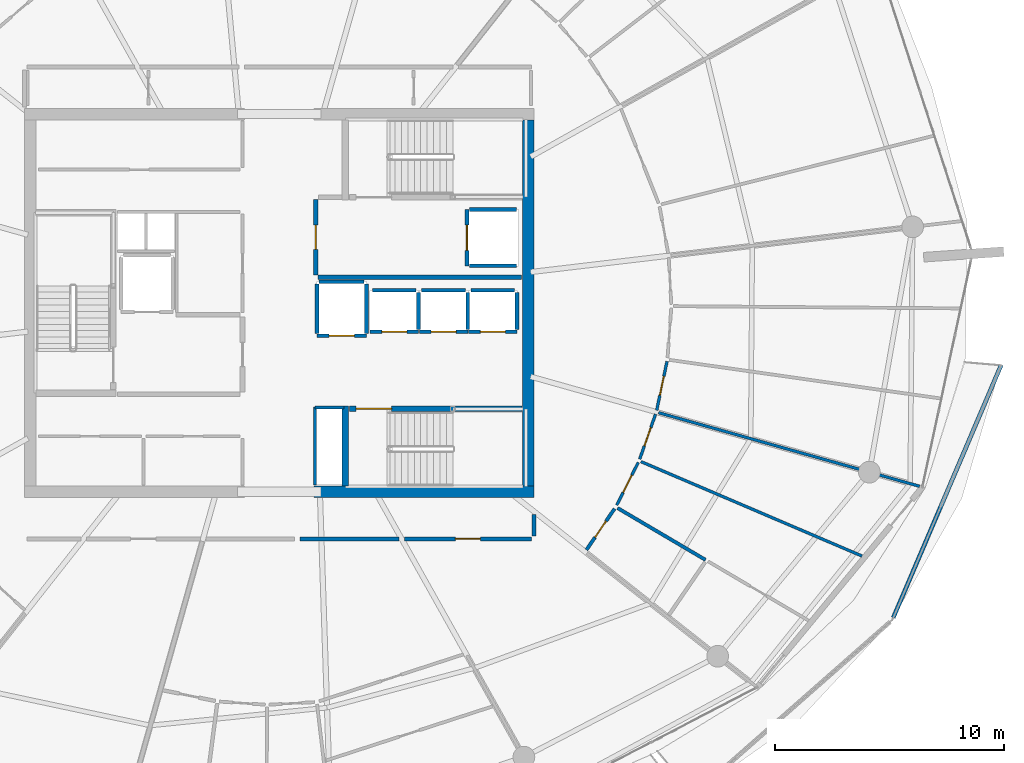
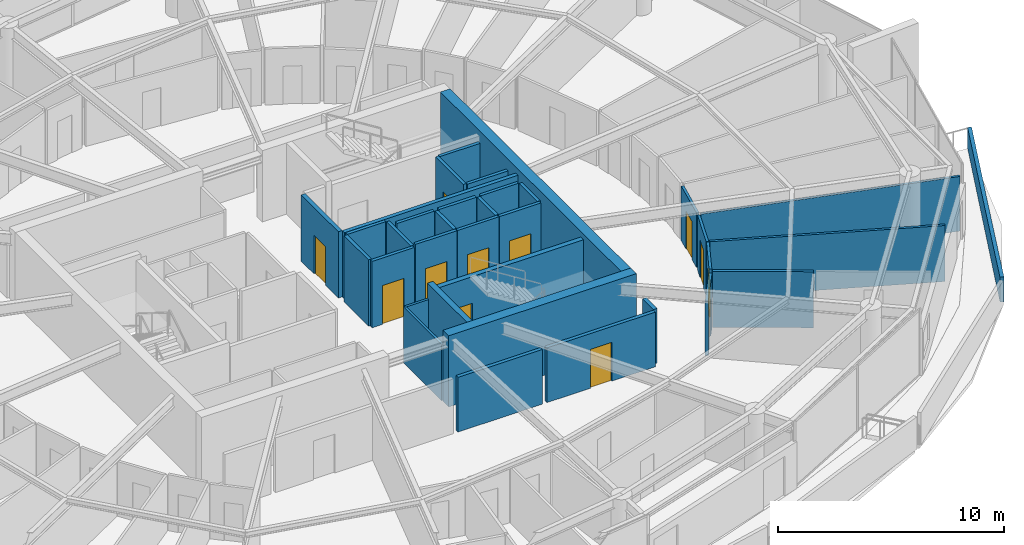
# One storey, part 20 of 30: 35 walls, 12 doors, 12 openings.
"""IFC4 building model written with IfcOpenShell, lengths in metres."""

from ifc_helpers import new_model, si_unit, direction, frame, frame_2d, origin, place, context, subcontext, project, spatial, polyline, rectangle, outline, extrude, material, layer, layer_set, type_object, element, fill, save


model = new_model("IFC4")

# Units and contexts
model_context = context("Model", 3, precision=1e-05, world=origin(), true_north=direction((0.0, 1.0)))
body_context = subcontext(model_context, "Body", "Model", "MODEL_VIEW")
ifc_project = project(units=[si_unit("LENGTHUNIT", "METRE"), si_unit("AREAUNIT", "SQUARE_METRE"), si_unit("VOLUMEUNIT", "CUBIC_METRE"), si_unit("PLANEANGLEUNIT", "RADIAN"), si_unit("MASSUNIT", "GRAM", prefix="KILO")], contexts=[model_context])

# Site, building, storey
site_placement = place(None, origin())
site = spatial("IfcSite", under=ifc_project, at=site_placement, CompositionType="ELEMENT")
building_placement = place(site_placement, origin())
building = spatial("IfcBuilding", under=site, at=building_placement, Name="Kazma Halo Residences", CompositionType="ELEMENT")
storey_placement = place(building_placement, frame((0.0, 0.0, 290.60009765625)))
storey = spatial("IfcBuildingStorey", under=building, at=storey_placement, Name="L73", CompositionType="ELEMENT", Elevation=290.60009765625)

# Walls
ifc_material_1 = material(Name="White Concrete C50/60 Balustrade", Category="concrete")
ifc_layer_1 = layer(ifc_material_1, 0.179931640625)
ifc_layer_set_1 = layer_set([ifc_layer_1], Name="White Concrete C50/60 Balustrade")
wall_type_1 = type_object("IfcWallType", Name="WL-BAL-WAVE-180", PredefinedType="PARAPET", material=ifc_layer_set_1)
wall_1_placement = place(storey_placement, frame((75.234619140625, 28.2578125, 0.0), z_axis=(0.0, 0.0, 1.0), x_axis=(0.392715313702, 0.919660090677, 0.0)))
element("IfcWall", 1, at=wall_1_placement, inside=storey, type_object=wall_type_1, Name="L73 white wave balustrade wall SE.2", PredefinedType="PARAPET", context=body_context, shape_type="SweptSolid", body=[
    extrude(outline(polyline([(0.0, 0.0), (11.9951171875, 0.0), (11.995361328125, 1.119873046875), (5.997802734375, 1.181884765625), (0.0, 1.347900390625), (0.0, 0.0)])), frame((0.0, 0.08984375, 0.0), z_axis=(0.0, -1.0, 0.0), x_axis=(1.0, 0.0, 0.0)), (0.0, 0.0, 1.0), 0.179931640625),
])
ifc_material_2 = material(Name="Concrete C60/75", Category="concrete")
ifc_layer_2 = layer(ifc_material_2, 0.5)
ifc_layer_set_2 = layer_set([ifc_layer_2], Name="Concrete C60/75")
wall_type_2 = type_object("IfcWallType", Name="WL-CORE-500", PredefinedType="SHEAR", material=ifc_layer_set_2)
wall_2_placement = place(storey_placement, frame((49.949951171875, 33.75, 0.0), z_axis=(0.0, 0.0, 1.0), x_axis=(1.0, 0.0, 0.0)))
element("IfcWall", 2, at=wall_2_placement, inside=storey, type_object=wall_type_2, Name="L73 central core shear wall SE", PredefinedType="SHEAR", context=body_context, shape_type="SweptSolid", body=[
    extrude(rectangle(XDim=9.60009765625, YDim=0.5, at=frame_2d((4.800048828125, 0.0))), origin(), (0.0, 0.0, 1.0), 3.849853515625),
])
wall_3_placement = place(storey_placement, frame((59.300048828125, 34.0, 0.0), z_axis=(0.0, 0.0, 1.0), x_axis=(0.0, 1.0, 0.0)))
element("IfcWall", 3, at=wall_3_placement, inside=storey, type_object=wall_type_2, Name="L73 central core shear wall E", PredefinedType="SHEAR", context=body_context, shape_type="SweptSolid", body=[
    extrude(rectangle(XDim=16.0, YDim=0.5, at=frame_2d((8.0, 0.0))), origin(), (0.0, 0.0, 1.0), 3.849853515625),
])
ifc_layer_3 = layer(ifc_material_2, 0.280029296875)
ifc_layer_set_3 = layer_set([ifc_layer_3], Name="Concrete C60/75")
wall_type_3 = type_object("IfcWallType", Name="WL-CORE-ST-280", PredefinedType="SHEAR", material=ifc_layer_set_3)
wall_4_placement = place(storey_placement, frame((51.31005859375, 34.0, 0.0), z_axis=(0.0, 0.0, 1.0), x_axis=(0.0, 1.0, 0.0)))
element("IfcWall", 4, at=wall_4_placement, inside=storey, type_object=wall_type_3, Name="L73 stairwell bearing wall ST03-W", PredefinedType="SHEAR", context=body_context, shape_type="SweptSolid", body=[
    extrude(rectangle(XDim=3.5, YDim=0.280029296875, at=frame_2d((1.75, 0.0))), origin(), (0.0, 0.0, 1.0), 3.849853515625),
])

# Wall, opening, door
ifc_material_3 = material(Name="Acoustic Twin-Stud Gypsum")
ifc_layer_4 = layer(ifc_material_3, 0.179931640625)
ifc_layer_set_4 = layer_set([ifc_layer_4], Name="Acoustic Twin-Stud Gypsum")
wall_type_4 = type_object("IfcWallType", Name="WL-DEM-180", PredefinedType="PARTITIONING", material=ifc_layer_set_4)
wall_5_placement = place(storey_placement, frame((53.88818359375, 31.699951171875, 0.0), z_axis=(0.0, 0.0, 1.0), x_axis=(1.0, 0.0, 0.0)))
wall_5 = element("IfcWall", 5, at=wall_5_placement, inside=storey, type_object=wall_type_4, Name="L73 Apartment 2 entrance corridor wall", PredefinedType="PARTITIONING", context=body_context, shape_type="SweptSolid", body=[
    extrude(rectangle(XDim=5.541748046875, YDim=0.179931640625, at=frame_2d((2.77099609375, 0.0))), origin(), (0.0, 0.0, 1.0), 2.956787109375),
])
opening_1_placement = place(wall_5_placement, frame((2.220703125, 0.0, 0.0)))
opening_1 = element("IfcOpeningElement", 6, at=opening_1_placement, cuts=wall_5, Name="Opening DA-1100", PredefinedType="OPENING", context=body_context, shape_type="SweptSolid", body=[
    extrude(rectangle(XDim=1.10009765625, YDim=2.10009765625, at=frame_2d((0.550048828125, 1.050048828125))), frame((0.0, 0.099853515625, 0.0), z_axis=(0.0, -1.0, 0.0), x_axis=(1.0, 0.0, 0.0)), (0.0, 0.0, 1.0), 0.199951171875),
])
ifc_material_4 = material(Name="Acoustic Walnut Fire Leaf")
door_type_1 = type_object("IfcDoorType", Name="DR-FD60-1100", OperationType="NOTDEFINED", PredefinedType="DOOR", material=ifc_material_4)
door_1_placement = place(opening_1_placement, origin())
door_1 = element("IfcDoor", 7, at=door_1_placement, inside=storey, type_object=door_type_1, Name="L73 Apartment 2 entrance fire door", OperationType="SINGLE_SWING_RIGHT", OverallHeight=2.10009765625, OverallWidth=1.10009765625, PredefinedType="DOOR", context=body_context, shape_type="SweptSolid", body=[
    extrude(rectangle(XDim=1.10009765625, YDim=2.10009765625, at=frame_2d((0.550048828125, 1.050048828125))), frame((0.0, 0.02490234375, 0.0), z_axis=(0.0, -1.0, 0.0), x_axis=(1.0, 0.0, 0.0)), (0.0, 0.0, 1.0), 0.050048828125),
])
fill(opening_1, door_1)

# Walls
wall_6_placement = place(storey_placement, frame((59.550048828125, 31.820068359375, 0.0), z_axis=(0.0, 0.0, 1.0), x_axis=(0.0, 1.0, 0.0)))
element("IfcWall", 8, at=wall_6_placement, inside=storey, type_object=wall_type_4, Name="L73 Apartment 2 entrance corridor wall", PredefinedType="PARTITIONING", context=body_context, shape_type="SweptSolid", body=[
    extrude(rectangle(XDim=0.95458984375, YDim=0.179931640625, at=frame_2d((0.477294921875, 0.0))), origin(), (0.0, 0.0, 1.0), 2.956787109375),
])
wall_7_placement = place(storey_placement, frame((49.339111328125, 31.699951171875, 0.0), z_axis=(0.0, 0.0, 1.0), x_axis=(1.0, 0.0, 0.0)))
element("IfcWall", 9, at=wall_7_placement, inside=storey, type_object=wall_type_4, Name="L73 Apartment 2 inner wall 11", PredefinedType="PARTITIONING", context=body_context, shape_type="SweptSolid", body=[
    extrude(rectangle(XDim=4.30908203125, YDim=0.179931640625, at=frame_2d((2.154541015625, 0.0))), origin(), (0.0, 0.0, 1.0), 2.956787109375),
])

# Wall, opening, door
ifc_material_5 = material(Name="Fire-Rated Blockwork Masonry", Category="masonry")
ifc_layer_5 = layer(ifc_material_5, 0.199951171875)
ifc_layer_set_5 = layer_set([ifc_layer_5], Name="Fire-Rated Blockwork Masonry")
wall_type_5 = type_object("IfcWallType", Name="WL-FLB-200", PredefinedType="PARTITIONING", material=ifc_layer_set_5)
wall_8_placement = place(storey_placement, frame((54.5048828125, 40.7451171875, 0.0), z_axis=(0.0, 0.0, 1.0), x_axis=(-1.0, 0.0, 0.0)))
wall_8 = element("IfcWall", 10, at=wall_8_placement, inside=storey, type_object=wall_type_5, Name="L73 lift shaft PH-01 front wall", PredefinedType="PARTITIONING", context=body_context, shape_type="SweptSolid", body=[
    extrude(rectangle(XDim=2.10986328125, YDim=0.159912109375, at=frame_2d((1.054931640625, 0.0))), origin(), (0.0, 0.0, 1.0), 3.58984375),
])
opening_2_placement = place(wall_8_placement, frame((0.5048828125, 0.0, 0.0)))
opening_2 = element("IfcOpeningElement", 11, at=opening_2_placement, cuts=wall_8, Name="Opening LD-PH-01", PredefinedType="OPENING", context=body_context, shape_type="SweptSolid", body=[
    extrude(rectangle(XDim=1.10009765625, YDim=2.10009765625, at=frame_2d((0.550048828125, 1.050048828125))), frame((0.0, 0.08984375, 0.0), z_axis=(0.0, -1.0, 0.0), x_axis=(1.0, 0.0, 0.0)), (0.0, 0.0, 1.0), 0.179931640625),
])
ifc_material_6 = material(Name="Stainless Steel Fire-Rated", Category="steel")
door_type_2 = type_object("IfcDoorType", Name="DR-LIFT-SLD-1100", OperationType="DOUBLE_DOOR_SLIDING", PredefinedType="DOOR", material=ifc_material_6)
door_2_placement = place(opening_2_placement, origin())
door_2 = element("IfcDoor", 12, at=door_2_placement, inside=storey, type_object=door_type_2, Name="L73 lift PH-01 sliding landing door", OperationType="DOUBLE_DOOR_SLIDING", OverallHeight=2.10009765625, OverallWidth=1.10009765625, PredefinedType="DOOR", context=body_context, shape_type="SweptSolid", body=[
    extrude(rectangle(XDim=1.10009765625, YDim=2.10009765625, at=frame_2d((0.550048828125, 1.050048828125))), frame((0.0, 0.02490234375, 0.0), z_axis=(0.0, -1.0, 0.0), x_axis=(1.0, 0.0, 0.0)), (0.0, 0.0, 1.0), 0.050048828125),
])
fill(opening_2, door_2)

# Walls
wall_9_placement = place(storey_placement, frame((54.5048828125, 40.844970703125, 0.0), z_axis=(0.0, 0.0, 1.0), x_axis=(0.0, 1.0, 0.0)))
element("IfcWall", 13, at=wall_9_placement, inside=storey, type_object=wall_type_5, Name="L73 lift shaft PH-01 side wall E", PredefinedType="PARTITIONING", context=body_context, shape_type="SweptSolid", body=[
    extrude(rectangle(XDim=1.610107421875, YDim=0.159912109375, at=frame_2d((0.80517578125, 0.0))), origin(), (0.0, 0.0, 1.0), 3.58984375),
])
wall_10_placement = place(storey_placement, frame((52.4951171875, 42.554931640625, 0.0), z_axis=(0.0, 0.0, 1.0), x_axis=(1.0, 0.0, 0.0)))
element("IfcWall", 14, at=wall_10_placement, inside=storey, type_object=wall_type_5, Name="L73 lift shaft PH-01 side wall N", PredefinedType="PARTITIONING", context=body_context, shape_type="SweptSolid", body=[
    extrude(rectangle(XDim=1.909912109375, YDim=0.159912109375, at=frame_2d((0.955078125, 0.0))), origin(), (0.0, 0.0, 1.0), 3.58984375),
])

# Wall, opening, door
wall_11_placement = place(storey_placement, frame((56.655029296875, 40.7451171875, 0.0), z_axis=(0.0, 0.0, 1.0), x_axis=(-1.0, 0.0, 0.0)))
wall_11 = element("IfcWall", 15, at=wall_11_placement, inside=storey, type_object=wall_type_5, Name="L73 lift shaft PH-02 front wall", PredefinedType="PARTITIONING", context=body_context, shape_type="SweptSolid", body=[
    extrude(rectangle(XDim=2.110107421875, YDim=0.159912109375, at=frame_2d((1.05517578125, 0.0))), origin(), (0.0, 0.0, 1.0), 3.58984375),
])
opening_3_placement = place(wall_11_placement, frame((0.5048828125, 0.0, 0.0)))
opening_3 = element("IfcOpeningElement", 16, at=opening_3_placement, cuts=wall_11, Name="Opening LD-PH-02", PredefinedType="OPENING", context=body_context, shape_type="SweptSolid", body=[
    extrude(rectangle(XDim=1.10009765625, YDim=2.10009765625, at=frame_2d((0.550048828125, 1.050048828125))), frame((0.0, 0.08984375, 0.0), z_axis=(0.0, -1.0, 0.0), x_axis=(1.0, 0.0, 0.0)), (0.0, 0.0, 1.0), 0.179931640625),
])
door_3_placement = place(opening_3_placement, origin())
door_3 = element("IfcDoor", 17, at=door_3_placement, inside=storey, type_object=door_type_2, Name="L73 lift PH-02 sliding landing door", OperationType="DOUBLE_DOOR_SLIDING", OverallHeight=2.10009765625, OverallWidth=1.10009765625, PredefinedType="DOOR", context=body_context, shape_type="SweptSolid", body=[
    extrude(rectangle(XDim=1.10009765625, YDim=2.10009765625, at=frame_2d((0.550048828125, 1.050048828125))), frame((0.0, 0.02490234375, 0.0), z_axis=(0.0, -1.0, 0.0), x_axis=(1.0, 0.0, 0.0)), (0.0, 0.0, 1.0), 0.050048828125),
])
fill(opening_3, door_3)

# Walls
wall_12_placement = place(storey_placement, frame((56.655029296875, 40.844970703125, 0.0), z_axis=(0.0, 0.0, 1.0), x_axis=(0.0, 1.0, 0.0)))
element("IfcWall", 18, at=wall_12_placement, inside=storey, type_object=wall_type_5, Name="L73 lift shaft PH-02 side wall E", PredefinedType="PARTITIONING", context=body_context, shape_type="SweptSolid", body=[
    extrude(rectangle(XDim=1.610107421875, YDim=0.159912109375, at=frame_2d((0.80517578125, 0.0))), origin(), (0.0, 0.0, 1.0), 3.58984375),
])
wall_13_placement = place(storey_placement, frame((54.64501953125, 42.554931640625, 0.0), z_axis=(0.0, 0.0, 1.0), x_axis=(1.0, 0.0, 0.0)))
element("IfcWall", 19, at=wall_13_placement, inside=storey, type_object=wall_type_5, Name="L73 lift shaft PH-02 side wall N", PredefinedType="PARTITIONING", context=body_context, shape_type="SweptSolid", body=[
    extrude(rectangle(XDim=1.909912109375, YDim=0.159912109375, at=frame_2d((0.955078125, 0.0))), origin(), (0.0, 0.0, 1.0), 3.58984375),
])

# Wall, opening, door
wall_14_placement = place(storey_placement, frame((58.804931640625, 40.7451171875, 0.0), z_axis=(0.0, 0.0, 1.0), x_axis=(-1.0, 0.0, 0.0)))
wall_14 = element("IfcWall", 20, at=wall_14_placement, inside=storey, type_object=wall_type_5, Name="L73 lift shaft PH-03 front wall", PredefinedType="PARTITIONING", context=body_context, shape_type="SweptSolid", body=[
    extrude(rectangle(XDim=2.10986328125, YDim=0.159912109375, at=frame_2d((1.054931640625, 0.0))), origin(), (0.0, 0.0, 1.0), 3.58984375),
])
opening_4_placement = place(wall_14_placement, frame((0.5048828125, 0.0, 0.0)))
opening_4 = element("IfcOpeningElement", 21, at=opening_4_placement, cuts=wall_14, Name="Opening LD-PH-03", PredefinedType="OPENING", context=body_context, shape_type="SweptSolid", body=[
    extrude(rectangle(XDim=1.10009765625, YDim=2.10009765625, at=frame_2d((0.550048828125, 1.050048828125))), frame((0.0, 0.08984375, 0.0), z_axis=(0.0, -1.0, 0.0), x_axis=(1.0, 0.0, 0.0)), (0.0, 0.0, 1.0), 0.179931640625),
])
door_4_placement = place(opening_4_placement, origin())
door_4 = element("IfcDoor", 22, at=door_4_placement, inside=storey, type_object=door_type_2, Name="L73 lift PH-03 sliding landing door", OperationType="DOUBLE_DOOR_SLIDING", OverallHeight=2.10009765625, OverallWidth=1.10009765625, PredefinedType="DOOR", context=body_context, shape_type="SweptSolid", body=[
    extrude(rectangle(XDim=1.10009765625, YDim=2.10009765625, at=frame_2d((0.550048828125, 1.050048828125))), frame((0.0, 0.02490234375, 0.0), z_axis=(0.0, -1.0, 0.0), x_axis=(1.0, 0.0, 0.0)), (0.0, 0.0, 1.0), 0.050048828125),
])
fill(opening_4, door_4)

# Walls
wall_15_placement = place(storey_placement, frame((58.804931640625, 40.844970703125, 0.0), z_axis=(0.0, 0.0, 1.0), x_axis=(0.0, 1.0, 0.0)))
element("IfcWall", 23, at=wall_15_placement, inside=storey, type_object=wall_type_5, Name="L73 lift shaft PH-03 side wall E", PredefinedType="PARTITIONING", context=body_context, shape_type="SweptSolid", body=[
    extrude(rectangle(XDim=1.610107421875, YDim=0.159912109375, at=frame_2d((0.80517578125, 0.0))), origin(), (0.0, 0.0, 1.0), 3.58984375),
])
wall_16_placement = place(storey_placement, frame((56.794921875, 42.554931640625, 0.0), z_axis=(0.0, 0.0, 1.0), x_axis=(1.0, 0.0, 0.0)))
element("IfcWall", 24, at=wall_16_placement, inside=storey, type_object=wall_type_5, Name="L73 lift shaft PH-03 side wall N", PredefinedType="PARTITIONING", context=body_context, shape_type="SweptSolid", body=[
    extrude(rectangle(XDim=1.91015625, YDim=0.159912109375, at=frame_2d((0.955078125, 0.0))), origin(), (0.0, 0.0, 1.0), 3.58984375),
])

# Wall, opening, door
wall_17_placement = place(storey_placement, frame((56.6201171875, 46.080078125, 0.0), z_axis=(0.0, 0.0, 1.0), x_axis=(0.0, -1.0, 0.0)))
wall_17 = element("IfcWall", 25, at=wall_17_placement, inside=storey, type_object=wall_type_5, Name="L73 lift shaft FL-02 front wall", PredefinedType="PARTITIONING", context=body_context, shape_type="SweptSolid", body=[
    extrude(rectangle(XDim=2.4599609375, YDim=0.159912109375, at=frame_2d((1.22998046875, 0.0))), origin(), (0.0, 0.0, 1.0), 3.58984375),
])
opening_5_placement = place(wall_17_placement, frame((0.679931640625, 0.0, 0.0)))
opening_5 = element("IfcOpeningElement", 26, at=opening_5_placement, cuts=wall_17, Name="Opening LD-FL-02", PredefinedType="OPENING", context=body_context, shape_type="SweptSolid", body=[
    extrude(rectangle(XDim=1.10009765625, YDim=2.10009765625, at=frame_2d((0.550048828125, 1.050048828125))), frame((0.0, 0.08984375, 0.0), z_axis=(0.0, -1.0, 0.0), x_axis=(1.0, 0.0, 0.0)), (0.0, 0.0, 1.0), 0.179931640625),
])
door_5_placement = place(opening_5_placement, origin())
door_5 = element("IfcDoor", 27, at=door_5_placement, inside=storey, type_object=door_type_2, Name="L73 lift FL-02 sliding landing door", OperationType="DOUBLE_DOOR_SLIDING", OverallHeight=2.10009765625, OverallWidth=1.10009765625, PredefinedType="DOOR", context=body_context, shape_type="SweptSolid", body=[
    extrude(rectangle(XDim=1.10009765625, YDim=2.10009765625, at=frame_2d((0.550048828125, 1.050048828125))), frame((0.0, 0.02490234375, 0.0), z_axis=(0.0, -1.0, 0.0), x_axis=(1.0, 0.0, 0.0)), (0.0, 0.0, 1.0), 0.050048828125),
])
fill(opening_5, door_5)

# Walls
for number, where, z_axis, x_axis, name in (
    (28, (56.719970703125, 46.080078125, 0.0), (0.0, 0.0, 1.0), (1.0, 0.0, 0.0), "L73 lift shaft FL-02 side wall N"),
    (29, (56.719970703125, 43.6201171875, 0.0), (0.0, 0.0, 1.0), (1.0, 0.0, 0.0), "L73 lift shaft FL-02 side wall S"),
):
    element("IfcWall", number, at=place(storey_placement, frame(where, z_axis=z_axis, x_axis=x_axis)), inside=storey, type_object=wall_type_5, Name=name, PredefinedType="PARTITIONING", context=body_context, shape_type="SweptSolid", body=[
        extrude(rectangle(XDim=2.06005859375, YDim=0.159912109375, at=frame_2d((1.030029296875, 0.0))), origin(), (0.0, 0.0, 1.0), 3.58984375),
    ])

# Wall, opening, door
wall_18_placement = place(storey_placement, frame((52.22998046875, 40.570068359375, 0.0), z_axis=(0.0, 0.0, 1.0), x_axis=(-1.0, 0.0, 0.0)))
wall_18 = element("IfcWall", 30, at=wall_18_placement, inside=storey, type_object=wall_type_5, Name="L73 lift shaft SV-01 front wall", PredefinedType="PARTITIONING", context=body_context, shape_type="SweptSolid", body=[
    extrude(rectangle(XDim=2.159912109375, YDim=0.159912109375, at=frame_2d((1.080078125, 0.0))), origin(), (0.0, 0.0, 1.0), 3.58984375),
])
opening_6_placement = place(wall_18_placement, frame((0.530029296875, 0.0, 0.0)))
opening_6 = element("IfcOpeningElement", 31, at=opening_6_placement, cuts=wall_18, Name="Opening LD-SV-01", PredefinedType="OPENING", context=body_context, shape_type="SweptSolid", body=[
    extrude(rectangle(XDim=1.10009765625, YDim=2.10009765625, at=frame_2d((0.550048828125, 1.050048828125))), frame((0.0, 0.08984375, 0.0), z_axis=(0.0, -1.0, 0.0), x_axis=(1.0, 0.0, 0.0)), (0.0, 0.0, 1.0), 0.179931640625),
])
door_6_placement = place(opening_6_placement, origin())
door_6 = element("IfcDoor", 32, at=door_6_placement, inside=storey, type_object=door_type_2, Name="L73 lift SV-01 sliding landing door", OperationType="DOUBLE_DOOR_SLIDING", OverallHeight=2.10009765625, OverallWidth=1.10009765625, PredefinedType="DOOR", context=body_context, shape_type="SweptSolid", body=[
    extrude(rectangle(XDim=1.10009765625, YDim=2.10009765625, at=frame_2d((0.550048828125, 1.050048828125))), frame((0.0, 0.02490234375, 0.0), z_axis=(0.0, -1.0, 0.0), x_axis=(1.0, 0.0, 0.0)), (0.0, 0.0, 1.0), 0.050048828125),
])
fill(opening_6, door_6)

# Walls
for number, where, z_axis, x_axis, name in (
    (33, (52.22998046875, 40.669921875, 0.0), (0.0, 0.0, 1.0), (0.0, 1.0, 0.0), "L73 lift shaft SV-01 side wall E"),
    (34, (50.070068359375, 40.669921875, 0.0), (0.0, 0.0, 1.0), (0.0, 1.0, 0.0), "L73 lift shaft SV-01 side wall W"),
):
    element("IfcWall", number, at=place(storey_placement, frame(where, z_axis=z_axis, x_axis=x_axis)), inside=storey, type_object=wall_type_5, Name=name, PredefinedType="PARTITIONING", context=body_context, shape_type="SweptSolid", body=[
        extrude(rectangle(XDim=2.16015625, YDim=0.159912109375, at=frame_2d((1.080078125, 0.0))), origin(), (0.0, 0.0, 1.0), 3.58984375),
    ])
wall_19_placement = place(storey_placement, frame((50.169921875, 42.929931640625, 0.0), z_axis=(0.0, 0.0, 1.0), x_axis=(1.0, 0.0, 0.0)))
element("IfcWall", 35, at=wall_19_placement, inside=storey, type_object=wall_type_5, Name="L73 lift shaft SV-01 side wall N", PredefinedType="PARTITIONING", context=body_context, shape_type="SweptSolid", body=[
    extrude(rectangle(XDim=1.9599609375, YDim=0.159912109375, at=frame_2d((0.97998046875, 0.0))), origin(), (0.0, 0.0, 1.0), 3.58984375),
])
wall_20_placement = place(storey_placement, frame((50.1201171875, 43.1201171875, 0.0), z_axis=(0.0, 0.0, 1.0), x_axis=(1.0, 0.0, 0.0)))
element("IfcWall", 36, at=wall_20_placement, inside=storey, type_object=wall_type_5, Name="L73 east firefighting lobby south smoke wall", PredefinedType="PARTITIONING", context=body_context, shape_type="SweptSolid", body=[
    extrude(rectangle(XDim=8.8798828125, YDim=0.199951171875, at=frame_2d((4.43994140625, 0.0))), origin(), (0.0, 0.0, 1.0), 3.58984375),
])

# Wall, opening, door
wall_21_placement = place(storey_placement, frame((50.02001953125, 43.219970703125, 0.0), z_axis=(0.0, 0.0, 1.0), x_axis=(0.0, 1.0, 0.0)))
wall_21 = element("IfcWall", 37, at=wall_21_placement, inside=storey, type_object=wall_type_5, Name="L73 east firefighting lobby smoke wall", PredefinedType="PARTITIONING", context=body_context, shape_type="SweptSolid", body=[
    extrude(rectangle(XDim=3.300048828125, YDim=0.199951171875, at=frame_2d((1.64990234375, 0.0))), origin(), (0.0, 0.0, 1.0), 3.58984375),
])
opening_7_placement = place(wall_21_placement, frame((1.125, 0.0, 0.0)))
opening_7 = element("IfcOpeningElement", 38, at=opening_7_placement, cuts=wall_21, Name="Opening D-FLE", PredefinedType="OPENING", context=body_context, shape_type="SweptSolid", body=[
    extrude(rectangle(XDim=1.050048828125, YDim=2.10009765625, at=frame_2d((0.52490234375, 1.050048828125))), frame((0.0, 0.10986328125, 0.0), z_axis=(0.0, -1.0, 0.0), x_axis=(1.0, 0.0, 0.0)), (0.0, 0.0, 1.0), 0.219970703125),
])
ifc_material_7 = material(Name="Fire-Rated Steel Leaf", Category="steel")
door_type_3 = type_object("IfcDoorType", Name="DR-FD90-1050", OperationType="NOTDEFINED", PredefinedType="DOOR", material=ifc_material_7)
door_7_placement = place(opening_7_placement, origin())
door_7 = element("IfcDoor", 39, at=door_7_placement, inside=storey, type_object=door_type_3, Name="L73 east firefighting lobby smoke door", OperationType="SINGLE_SWING_LEFT", OverallHeight=2.10009765625, OverallWidth=1.050048828125, PredefinedType="DOOR", context=body_context, shape_type="SweptSolid", body=[
    extrude(rectangle(XDim=1.050048828125, YDim=2.10009765625, at=frame_2d((0.52490234375, 1.050048828125))), frame((0.0, 0.02490234375, 0.0), z_axis=(0.0, -1.0, 0.0), x_axis=(1.0, 0.0, 0.0)), (0.0, 0.0, 1.0), 0.050048828125),
])
fill(opening_7, door_7)

# Walls
ifc_material_8 = material(Name="Gypsum Plasterboard Partition")
ifc_layer_6 = layer(ifc_material_8, 0.125)
ifc_layer_set_6 = layer_set([ifc_layer_6], Name="Gypsum Plasterboard Partition")
wall_type_6 = type_object("IfcWallType", Name="WL-PART-125", PredefinedType="PARTITIONING", material=ifc_layer_set_6)
wall_22_placement = place(storey_placement, frame((49.97998046875, 34.06005859375, 0.0), z_axis=(0.0, 0.0, 1.0), x_axis=(0.0, 1.0, 0.0)))
element("IfcWall", 40, at=wall_22_placement, inside=storey, type_object=wall_type_6, Name="L73 standpipe riser wall", PredefinedType="PARTITIONING", context=body_context, shape_type="SweptSolid", body=[
    extrude(rectangle(XDim=3.39990234375, YDim=0.125, at=frame_2d((1.699951171875, 0.0))), origin(), (0.0, 0.0, 1.0), 3.02978515625),
])
wall_23_placement = place(storey_placement, frame((49.97998046875, 37.43994140625, 0.0), z_axis=(0.0, 0.0, 1.0), x_axis=(1.0, 0.0, 0.0)))
element("IfcWall", 41, at=wall_23_placement, inside=storey, type_object=wall_type_6, Name="L73 standpipe riser north wall", PredefinedType="PARTITIONING", context=body_context, shape_type="SweptSolid", body=[
    extrude(rectangle(XDim=1.260009765625, YDim=0.125, at=frame_2d((0.6298828125, 0.0))), origin(), (0.0, 0.0, 1.0), 3.02978515625),
])
wall_24_placement = place(storey_placement, frame((64.218505859375, 35.072265625, 0.0), z_axis=(0.0, 0.0, 1.0), x_axis=(0.91961011962, -0.392832315235, 0.0)))
element("IfcWall", 42, at=wall_24_placement, inside=storey, type_object=wall_type_6, Name="L73 Apartment 2 suite divider 13", PredefinedType="PARTITIONING", context=body_context, shape_type="SweptSolid", body=[
    extrude(rectangle(XDim=10.4931640625, YDim=0.125, at=frame_2d((5.24658203125, 0.0))), origin(), (0.0, 0.0, 1.0), 3.02978515625),
])

# Wall, opening, door
wall_25_placement = place(storey_placement, frame((63.1572265625, 33.17236328125, 0.0), z_axis=(0.0, 0.0, 1.0), x_axis=(0.451230403471, 0.892407487073, 0.0)))
wall_25 = element("IfcWall", 43, at=wall_25_placement, inside=storey, type_object=wall_type_6, Name="L73 Apartment 2 Inner Private Study hall wall", PredefinedType="PARTITIONING", context=body_context, shape_type="SweptSolid", body=[
    extrude(rectangle(XDim=2.08837890625, YDim=0.125, at=frame_2d((1.044189453125, 0.0))), origin(), (0.0, 0.0, 1.0), 3.02978515625),
])
opening_8_placement = place(wall_25_placement, frame((0.619140625, 0.0, 0.0)))
opening_8 = element("IfcOpeningElement", 44, at=opening_8_placement, cuts=wall_25, Name="Opening DB-900", PredefinedType="OPENING", context=body_context, shape_type="SweptSolid", body=[
    extrude(rectangle(XDim=0.85009765625, YDim=2.06005859375, at=frame_2d((0.425048828125, 1.030029296875))), frame((0.0, 0.072509765625, 0.0), z_axis=(0.0, -1.0, 0.0), x_axis=(1.0, 0.0, 0.0)), (0.0, 0.0, 1.0), 0.14501953125),
])
ifc_material_9 = material(Name="Moisture-Sealed Timber Leaf", Category="wood")
door_type_4 = type_object("IfcDoorType", Name="DR-BTH-900", OperationType="NOTDEFINED", PredefinedType="DOOR", material=ifc_material_9)
door_8_placement = place(opening_8_placement, origin())
door_8 = element("IfcDoor", 45, at=door_8_placement, inside=storey, type_object=door_type_4, Name="L73 Apartment 2 Inner Private Study door", OperationType="SINGLE_SWING_LEFT", OverallHeight=2.06005859375, OverallWidth=0.85009765625, PredefinedType="DOOR", context=body_context, shape_type="SweptSolid", body=[
    extrude(rectangle(XDim=0.85009765625, YDim=2.06005859375, at=frame_2d((0.425048828125, 1.030029296875))), frame((0.0, 0.02490234375, 0.0), z_axis=(0.0, -1.0, 0.0), x_axis=(1.0, 0.0, 0.0)), (0.0, 0.0, 1.0), 0.050048828125),
])
fill(opening_8, door_8)

wall_26_placement = place(storey_placement, frame((64.162109375, 35.18310546875, 0.0), z_axis=(0.0, 0.0, 1.0), x_axis=(0.332881557629, 0.942968646664, 0.0)))
wall_26 = element("IfcWall", 46, at=wall_26_placement, inside=storey, type_object=wall_type_6, Name="L73 Apartment 2 Outer Master Bedroom hall wall", PredefinedType="PARTITIONING", context=body_context, shape_type="SweptSolid", body=[
    extrude(rectangle(XDim=2.07861328125, YDim=0.125, at=frame_2d((1.039306640625, 0.0))), origin(), (0.0, 0.0, 1.0), 2.956787109375),
])
opening_9_placement = place(wall_26_placement, frame((0.6142578125, 0.0, 0.0)))
opening_9 = element("IfcOpeningElement", 47, at=opening_9_placement, cuts=wall_26, Name="Opening DB-900", PredefinedType="OPENING", context=body_context, shape_type="SweptSolid", body=[
    extrude(rectangle(XDim=0.85009765625, YDim=2.06005859375, at=frame_2d((0.425048828125, 1.030029296875))), frame((0.0, 0.072509765625, 0.0), z_axis=(0.0, -1.0, 0.0), x_axis=(1.0, 0.0, 0.0)), (0.0, 0.0, 1.0), 0.14501953125),
])
door_9_placement = place(opening_9_placement, origin())
door_9 = element("IfcDoor", 48, at=door_9_placement, inside=storey, type_object=door_type_4, Name="L73 Apartment 2 Outer Master Bedroom door", OperationType="SINGLE_SWING_RIGHT", OverallHeight=2.06005859375, OverallWidth=0.85009765625, PredefinedType="DOOR", context=body_context, shape_type="SweptSolid", body=[
    extrude(rectangle(XDim=0.85009765625, YDim=2.06005859375, at=frame_2d((0.425048828125, 1.030029296875))), frame((0.0, 0.02490234375, 0.0), z_axis=(0.0, -1.0, 0.0), x_axis=(1.0, 0.0, 0.0)), (0.0, 0.0, 1.0), 0.050048828125),
])
fill(opening_9, door_9)

# Wall
wall_27_placement = place(storey_placement, frame((64.9833984375, 37.210205078125, 0.0), z_axis=(0.0, 0.0, 1.0), x_axis=(0.962453678557, -0.271445973691, 0.0)))
element("IfcWall", 49, at=wall_27_placement, inside=storey, type_object=wall_type_6, Name="L73 Apartment 2 radial partition 14", PredefinedType="PARTITIONING", context=body_context, shape_type="SweptSolid", body=[
    extrude(rectangle(XDim=11.849609375, YDim=0.125, at=frame_2d((5.9248046875, 0.0))), origin(), (0.0, 0.0, 1.0), 2.956787109375),
])

# Wall, opening, door
wall_28_placement = place(storey_placement, frame((64.90380859375, 37.315673828125, 0.0), z_axis=(0.0, 0.0, 1.0), x_axis=(0.206653610436, 0.978414168588, 0.0)))
wall_28 = element("IfcWall", 50, at=wall_28_placement, inside=storey, type_object=wall_type_6, Name="L73 Apartment 2 Sky Master Bedroom hall wall", PredefinedType="PARTITIONING", context=body_context, shape_type="SweptSolid", body=[
    extrude(rectangle(XDim=2.180908203125, YDim=0.125, at=frame_2d((1.09033203125, 0.0))), origin(), (0.0, 0.0, 1.0), 2.956787109375),
])
opening_10_placement = place(wall_28_placement, frame((0.665283203125, 0.0, 0.0)))
opening_10 = element("IfcOpeningElement", 51, at=opening_10_placement, cuts=wall_28, Name="Opening DB-900", PredefinedType="OPENING", context=body_context, shape_type="SweptSolid", body=[
    extrude(rectangle(XDim=0.85009765625, YDim=2.06005859375, at=frame_2d((0.425048828125, 1.030029296875))), frame((0.0, 0.072509765625, 0.0), z_axis=(0.0, -1.0, 0.0), x_axis=(1.0, 0.0, 0.0)), (0.0, 0.0, 1.0), 0.14501953125),
])
door_10_placement = place(opening_10_placement, origin())
door_10 = element("IfcDoor", 52, at=door_10_placement, inside=storey, type_object=door_type_4, Name="L73 Apartment 2 Sky Master Bedroom door", OperationType="SINGLE_SWING_LEFT", OverallHeight=2.06005859375, OverallWidth=0.85009765625, PredefinedType="DOOR", context=body_context, shape_type="SweptSolid", body=[
    extrude(rectangle(XDim=0.85009765625, YDim=2.06005859375, at=frame_2d((0.425048828125, 1.030029296875))), frame((0.0, 0.02490234375, 0.0), z_axis=(0.0, -1.0, 0.0), x_axis=(1.0, 0.0, 0.0)), (0.0, 0.0, 1.0), 0.050048828125),
])
fill(opening_10, door_10)

ifc_material_10 = material(Name="Concrete C50/60", Category="concrete")
ifc_layer_7 = layer(ifc_material_10, 0.25)
ifc_layer_set_7 = layer_set([ifc_layer_7], Name="Concrete C50/60")
wall_type_7 = type_object("IfcWallType", Name="WL-SHF-250", PredefinedType="SOLIDWALL", material=ifc_layer_set_7)
wall_29_placement = place(storey_placement, frame((51.47998046875, 37.3798828125, 0.0), z_axis=(0.0, 0.0, 1.0), x_axis=(1.0, 0.0, 0.0)))
wall_29 = element("IfcWall", 53, at=wall_29_placement, inside=storey, type_object=wall_type_7, Name="L73 exit stair ST-03 enclosure wall", PredefinedType="SOLIDWALL", context=body_context, shape_type="SweptSolid", body=[
    extrude(rectangle(XDim=7.5400390625, YDim=0.25, at=frame_2d((3.77001953125, 0.0))), origin(), (0.0, 0.0, 1.0), 3.58984375),
])
opening_11_placement = place(wall_29_placement, frame((0.300048828125, 0.0, 0.0)))
opening_11 = element("IfcOpeningElement", 54, at=opening_11_placement, cuts=wall_29, Name="Opening D-ST3", PredefinedType="OPENING", context=body_context, shape_type="SweptSolid", body=[
    extrude(rectangle(XDim=1.550048828125, YDim=2.14990234375, at=frame_2d((0.77490234375, 1.074951171875))), frame((0.0, 0.135009765625, 0.0), z_axis=(0.0, -1.0, 0.0), x_axis=(1.0, 0.0, 0.0)), (0.0, 0.0, 1.0), 0.27001953125),
])
ifc_material_11 = material(Name="Fire-Rated Double Steel Leaf", Category="steel")
door_type_5 = type_object("IfcDoorType", Name="DR-FD90-1550", OperationType="NOTDEFINED", PredefinedType="DOOR", material=ifc_material_11)
door_11_placement = place(opening_11_placement, origin())
door_11 = element("IfcDoor", 55, at=door_11_placement, inside=storey, type_object=door_type_5, Name="L73 exit stair ST-03 fire door", OperationType="DOUBLE_DOOR_SINGLE_SWING", OverallHeight=2.14990234375, OverallWidth=1.550048828125, PredefinedType="DOOR", context=body_context, shape_type="SweptSolid", body=[
    extrude(rectangle(XDim=1.550048828125, YDim=2.14990234375, at=frame_2d((0.77490234375, 1.074951171875))), frame((0.0, 0.02490234375, 0.0), z_axis=(0.0, -1.0, 0.0), x_axis=(1.0, 0.0, 0.0)), (0.0, 0.0, 1.0), 0.050048828125),
])
fill(opening_11, door_11)

ifc_material_12 = material(Name="Moisture-Resistant Gypsum")
ifc_layer_8 = layer(ifc_material_12, 0.14990234375)
ifc_layer_set_8 = layer_set([ifc_layer_8], Name="Moisture-Resistant Gypsum")
wall_type_8 = type_object("IfcWallType", Name="WL-WET-150", PredefinedType="PARTITIONING", material=ifc_layer_set_8)
wall_30_placement = place(storey_placement, frame((61.835693359375, 31.219970703125, 0.0), z_axis=(0.0, 0.0, 1.0), x_axis=(0.564720073442, 0.825282520505, 0.0)))
wall_30 = element("IfcWall", 56, at=wall_30_placement, inside=storey, type_object=wall_type_8, Name="L73 Apartment 2 North En-Suite Bathroom hall wall", PredefinedType="PARTITIONING", context=body_context, shape_type="SweptSolid", body=[
    extrude(rectangle(XDim=2.178466796875, YDim=0.14990234375, at=frame_2d((1.08935546875, 0.0))), origin(), (0.0, 0.0, 1.0), 2.956787109375),
])
opening_12_placement = place(wall_30_placement, frame((0.664306640625, 0.0, 0.0)))
opening_12 = element("IfcOpeningElement", 57, at=opening_12_placement, cuts=wall_30, Name="Opening DB-900", PredefinedType="OPENING", context=body_context, shape_type="SweptSolid", body=[
    extrude(rectangle(XDim=0.85009765625, YDim=2.06005859375, at=frame_2d((0.425048828125, 1.030029296875))), frame((0.0, 0.0849609375, 0.0), z_axis=(0.0, -1.0, 0.0), x_axis=(1.0, 0.0, 0.0)), (0.0, 0.0, 1.0), 0.169921875),
])
door_12_placement = place(opening_12_placement, origin())
door_12 = element("IfcDoor", 58, at=door_12_placement, inside=storey, type_object=door_type_4, Name="L73 Apartment 2 North En-Suite Bathroom door", OperationType="SINGLE_SWING_LEFT", OverallHeight=2.06005859375, OverallWidth=0.85009765625, PredefinedType="DOOR", context=body_context, shape_type="SweptSolid", body=[
    extrude(rectangle(XDim=0.85009765625, YDim=2.06005859375, at=frame_2d((0.425048828125, 1.030029296875))), frame((0.0, 0.02490234375, 0.0), z_axis=(0.0, -1.0, 0.0), x_axis=(1.0, 0.0, 0.0)), (0.0, 0.0, 1.0), 0.050048828125),
])
fill(opening_12, door_12)

# Wall
wall_31_placement = place(storey_placement, frame((63.194091796875, 33.04638671875, 0.0), z_axis=(0.0, 0.0, 1.0), x_axis=(0.8615329034, -0.507701739566, 0.0)))
element("IfcWall", 59, at=wall_31_placement, inside=storey, type_object=wall_type_8, Name="L73 Apartment 2 North En-Suite Bathroom side wall", PredefinedType="PARTITIONING", context=body_context, shape_type="SweptSolid", body=[
    extrude(rectangle(XDim=4.460205078125, YDim=0.14990234375, at=frame_2d((2.22998046875, 0.0))), origin(), (0.0, 0.0, 1.0), 3.02978515625),
])

save(model, "model.ifc")
